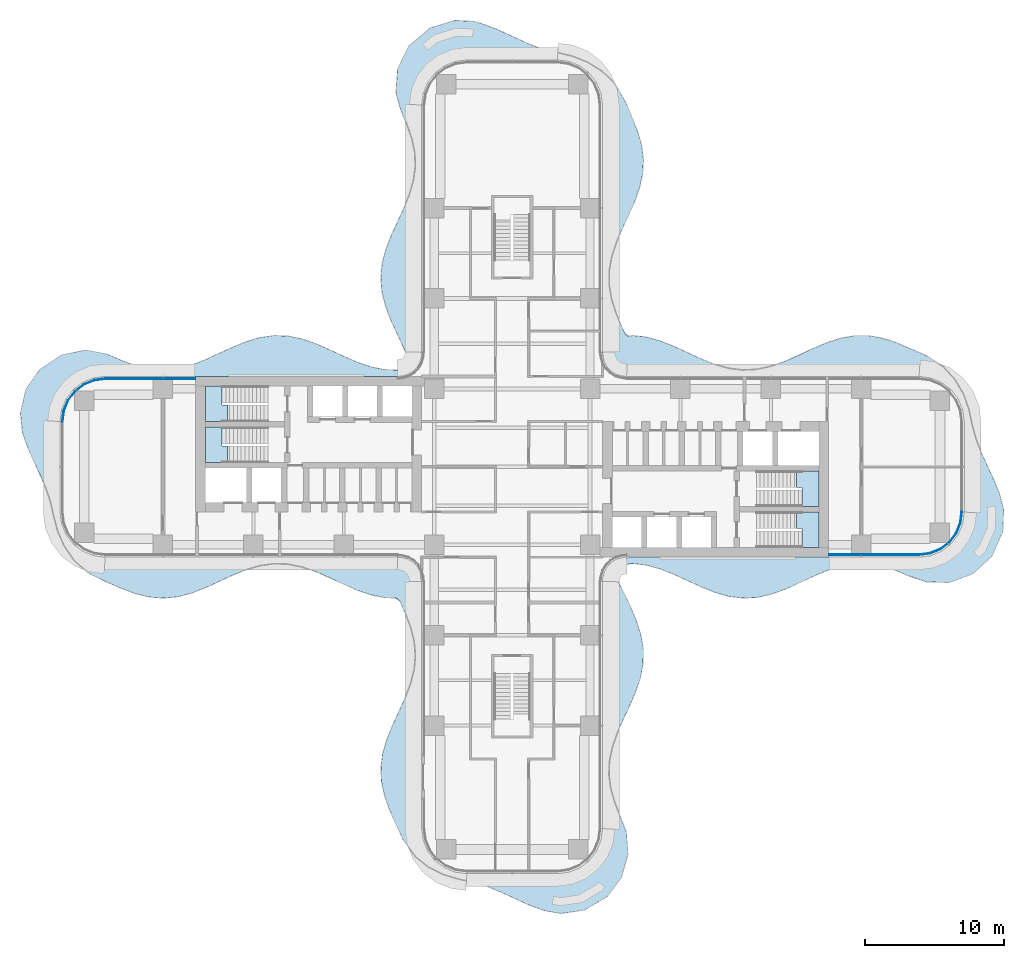
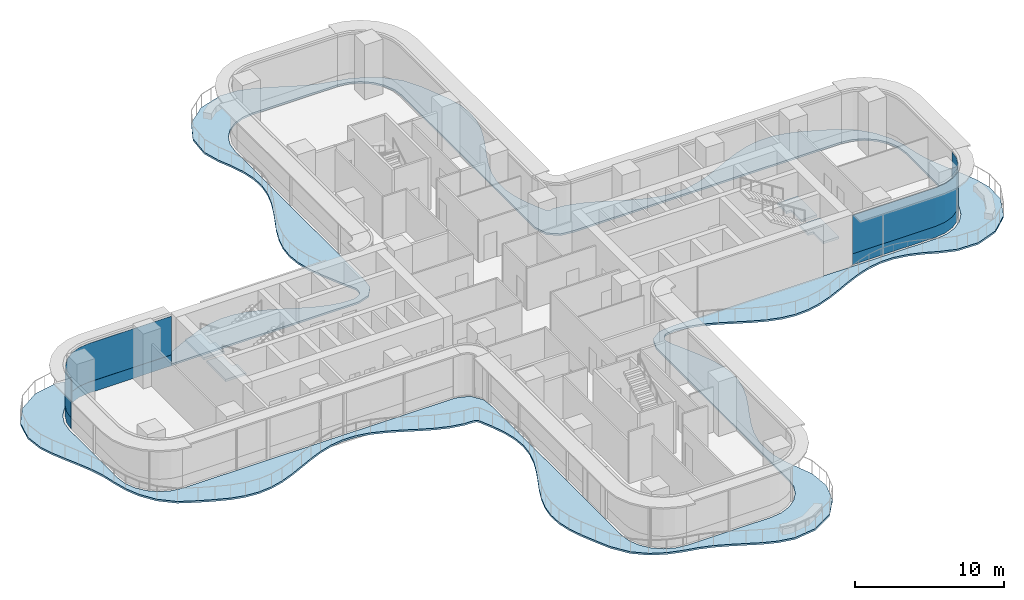
# One storey, part 15 of 22: 5 slabs, 4 plates, 6 elements without a shape of their own.
"""IFC4 building model written with IfcOpenShell, lengths in metres."""

import ifcopenshell
import ifcopenshell.guid

model = None  # the IFC model being written
_history = None  # IfcOwnerHistory: only IFC2X3 demands one
_inside = {}  # id of a spatial element -> (the spatial element, [elements in it])
_under = {}  # id of a project, library or spatial element -> (it, [spatial elements below it])
_declared = {}  # id of a project -> (the project, [libraries it declares])
_typed = {}  # id of a type object -> (the type object, [elements of that type])
_made_of = {}  # id of a material, layer set ... -> (it, [elements and type objects made of it])


def new_model(schema):
    """Start an empty IFC model of exactly this schema.

    Asked for "IFC4X3", IfcOpenShell would pick the latest addendum, in which some entities
    have other attributes; the version numbers below select the first issue.
    IFC2X3 requires an IfcOwnerHistory on every rooted entity: one is made here for all.
    """
    global model, _history
    if schema == "IFC4X3":
        model = ifcopenshell.file(schema_version=(4, 3, 0, 0))
    else:
        model = ifcopenshell.file(schema=schema)
    _inside.clear()
    _under.clear()
    _declared.clear()
    _typed.clear()
    _made_of.clear()
    _history = None
    if model.schema == "IFC2X3":
        org = make("IfcOrganization", Name="unknown")
        user = make(
            "IfcPersonAndOrganization",
            ThePerson=make("IfcPerson", FamilyName="unknown"),
            TheOrganization=org,
        )
        app = make(
            "IfcApplication",
            ApplicationDeveloper=org,
            Version="unknown",
            ApplicationFullName="unknown",
            ApplicationIdentifier="unknown",
        )
        _history = make(
            "IfcOwnerHistory",
            OwningUser=user,
            OwningApplication=app,
            ChangeAction="ADDED",
            CreationDate=0,
        )
    return model


def make(cls, **values):
    """One entity of the class cls with the attributes given. An attribute that is None is left unset."""
    return model.create_entity(
        cls, **{name: value for name, value in values.items() if value is not None}
    )


def rooted(cls, **values):
    """An entity with a GlobalId (a new one), such as an element, a storey or a relation."""
    return make(cls, GlobalId=ifcopenshell.guid.new(), OwnerHistory=_history, **values)


def si_unit(unit_type, name, prefix=None):
    """IfcSIUnit, for example si_unit("LENGTHUNIT", "METRE", prefix="MILLI")."""
    return make("IfcSIUnit", UnitType=unit_type, Prefix=prefix, Name=name)


def assignment(units):
    """IfcUnitAssignment: the units of a project."""
    return None if units is None else make("IfcUnitAssignment", Units=units)


def point(xyz):
    """IfcCartesianPoint."""
    return None if xyz is None else make("IfcCartesianPoint", Coordinates=xyz)


def direction(xyz):
    """IfcDirection."""
    return None if xyz is None else make("IfcDirection", DirectionRatios=xyz)


def frame(location, z_axis=None, x_axis=None):
    """IfcAxis2Placement3D, a coordinate frame: its origin and axes. An axis left out is left unset."""
    return make(
        "IfcAxis2Placement3D",
        Location=point(location),
        Axis=direction(z_axis),
        RefDirection=direction(x_axis),
    )


def origin():
    """The frame at (0, 0, 0) with its axes left unset."""
    return frame((0.0, 0.0, 0.0))


def place(relative_to, where):
    """IfcLocalPlacement: puts the frame where relative to a parent placement (None: the world)."""
    return make(
        "IfcLocalPlacement", PlacementRelTo=relative_to, RelativePlacement=where
    )


def context(
    kind, dimensions, precision=None, world=None, true_north=None, identifier=None
):
    """IfcGeometricRepresentationContext, for example the 3D "Model" context."""
    return make(
        "IfcGeometricRepresentationContext",
        ContextIdentifier=identifier,
        ContextType=kind,
        CoordinateSpaceDimension=dimensions,
        Precision=precision,
        WorldCoordinateSystem=world,
        TrueNorth=true_north,
    )


def subcontext(parent, identifier, kind, view, scale=None):
    """IfcGeometricRepresentationSubContext, for example "Body" below "Model"."""
    return make(
        "IfcGeometricRepresentationSubContext",
        ContextIdentifier=identifier,
        ContextType=kind,
        ParentContext=parent,
        TargetScale=scale,
        TargetView=view,
    )


def project(units=None, contexts=None):
    """IfcProject with its units and contexts."""
    return rooted(
        "IfcProject",
        Name="project",
        RepresentationContexts=contexts,
        UnitsInContext=assignment(units),
    )


def spatial(cls, under=None, at=None, **own):
    """A site, building, storey or space (cls), placed at a placement, below another one or the project."""
    s = rooted(cls, ObjectPlacement=at, **own)
    if under is not None:
        _under.setdefault(under.id(), (under, []))[1].append(s)
    return s


def polyline(points):
    """IfcPolyline through the points."""
    return make("IfcPolyline", Points=[point(p) for p in points])


def outline(outer, holes=None, kind="AREA"):
    """IfcArbitraryClosedProfileDef: a profile drawn as a closed curve; with holes, ...WithVoids."""
    if holes is None:
        return make("IfcArbitraryClosedProfileDef", ProfileType=kind, OuterCurve=outer)
    return make(
        "IfcArbitraryProfileDefWithVoids",
        ProfileType=kind,
        OuterCurve=outer,
        InnerCurves=holes,
    )


def extrude(swept, where, along, depth):
    """IfcExtrudedAreaSolid: the profile swept, set in the frame where, extruded along a direction by depth."""
    return make(
        "IfcExtrudedAreaSolid",
        SweptArea=swept,
        Position=where,
        ExtrudedDirection=direction(along),
        Depth=depth,
    )


def shape(context_of_items, identifier, shape_type, items):
    """IfcShapeRepresentation: the items that make up one representation, for example the "Body"."""
    return make(
        "IfcShapeRepresentation",
        ContextOfItems=context_of_items,
        RepresentationIdentifier=identifier,
        RepresentationType=shape_type,
        Items=items,
    )


def source(mapping_origin, context_of_items, identifier, shape_type, items):
    """IfcRepresentationMap: a shape defined once, which mapped items show again and again."""
    return make(
        "IfcRepresentationMap",
        MappingOrigin=mapping_origin,
        MappedRepresentation=shape(context_of_items, identifier, shape_type, items),
    )


def transform(
    local_origin,
    x_axis=None,
    y_axis=None,
    z_axis=None,
    scale=None,
    scale2=None,
    scale3=None,
    uniform=True,
):
    """IfcCartesianTransformationOperator3D, or its non-uniform kind. x_axis, y_axis, z_axis: its Axis1, 2, 3."""
    if uniform:
        return make(
            "IfcCartesianTransformationOperator3D",
            Axis1=direction(x_axis),
            Axis2=direction(y_axis),
            LocalOrigin=point(local_origin),
            Scale=scale,
            Axis3=direction(z_axis),
        )
    return make(
        "IfcCartesianTransformationOperator3DnonUniform",
        Axis1=direction(x_axis),
        Axis2=direction(y_axis),
        LocalOrigin=point(local_origin),
        Scale=scale,
        Axis3=direction(z_axis),
        Scale2=scale2,
        Scale3=scale3,
    )


def mapped(mapping_source, mapping_target):
    """IfcMappedItem: shows the shape of a source again, moved by a transform."""
    return make(
        "IfcMappedItem", MappingSource=mapping_source, MappingTarget=mapping_target
    )


def material(Name=None, Category=None):
    """IfcMaterial."""
    return make("IfcMaterial", Name=Name, Category=Category)


def layer(
    of_material, thickness, ventilated=None, Name=None, Category=None, Priority=None
):
    """IfcMaterialLayer: one layer of a wall or slab, of a material (None: an air gap)."""
    return make(
        "IfcMaterialLayer",
        Material=of_material,
        LayerThickness=thickness,
        IsVentilated=ventilated,
        Name=Name,
        Category=Category,
        Priority=Priority,
    )


def layer_set(layers, Name=None):
    """IfcMaterialLayerSet."""
    return make("IfcMaterialLayerSet", MaterialLayers=layers, LayerSetName=Name)


def made_of(thing, what):
    """Note that an element or type object is made of a material, layer set ...; save() writes the relation."""
    if what is not None:
        _made_of.setdefault(what.id(), (what, []))[1].append(thing)
    return thing


def type_object(cls, material=None, **own):
    """A type object (cls), such as IfcWallType, which elements share."""
    return made_of(rooted(cls, **own), material)


def element(
    cls,
    number,
    at=None,
    inside=None,
    cuts=None,
    type_object=None,
    material=None,
    context=None,
    identifier="Body",
    shape_type=None,
    held_by="IfcProductDefinitionShape",
    body=None,
    shapes=None,
    **own,
):
    """One element of the class cls, such as IfcWall. Its Tag is "e" and its number.

    at: its placement. inside: the storey or other place that contains it. cuts: it is an
    opening in that element (IfcRelVoidsElement). A single representation is given by context,
    identifier, shape_type and body (its items); several are given by shapes. held_by: the class
    of the entity that holds the representations. save() writes the other relations.
    """
    e = rooted(cls, Tag="e%d" % number, ObjectPlacement=at, **own)
    if body is not None:
        shapes = [shape(context, identifier, shape_type, body)]
    if shapes is not None:
        e.Representation = make(held_by, Representations=shapes)
    if inside is not None:
        _inside.setdefault(inside.id(), (inside, []))[1].append(e)
    if cuts is not None:
        rooted(
            "IfcRelVoidsElement", RelatingBuildingElement=cuts, RelatedOpeningElement=e
        )
    if type_object is not None:
        _typed.setdefault(type_object.id(), (type_object, []))[1].append(e)
    return made_of(e, material)


def aggregate(whole, parts):
    """IfcRelAggregates: a whole, such as a stair, and the parts it consists of."""
    return rooted("IfcRelAggregates", RelatingObject=whole, RelatedObjects=parts)


def save(model, path):
    """Write the relations noted so far, then the file.

    IfcRelAggregates (storeys below a building ...), IfcRelContainedInSpatialStructure (elements
    in a storey), IfcRelDefinesByType, IfcRelAssociatesMaterial and IfcRelDeclares: one each for
    every whole, place, type object, material and project.
    """
    for whole, parts in _under.values():
        aggregate(whole, parts)
    for where, things in _inside.values():
        rooted(
            "IfcRelContainedInSpatialStructure",
            RelatedElements=things,
            RelatingStructure=where,
        )
    for kind, things in _typed.values():
        rooted("IfcRelDefinesByType", RelatedObjects=things, RelatingType=kind)
    for what, things in _made_of.values():
        rooted("IfcRelAssociatesMaterial", RelatedObjects=things, RelatingMaterial=what)
    for by, libraries in _declared.values():
        rooted("IfcRelDeclares", RelatingContext=by, RelatedDefinitions=libraries)
    model.write(path)


model = new_model("IFC4")

# Units and contexts
model_context = context("Model", 3, precision=1e-05, world=origin(), true_north=direction((0.0, 1.0)))
body_context = subcontext(model_context, "Body", "Model", "MODEL_VIEW")
ifc_project = project(units=[si_unit("LENGTHUNIT", "METRE"), si_unit("AREAUNIT", "SQUARE_METRE"), si_unit("VOLUMEUNIT", "CUBIC_METRE"), si_unit("PLANEANGLEUNIT", "RADIAN"), si_unit("MASSUNIT", "GRAM", prefix="KILO")], contexts=[model_context])

# Site, building, storey
site_placement = place(None, origin())
site = spatial("IfcSite", under=ifc_project, at=site_placement, CompositionType="ELEMENT")
building_placement = place(site_placement, origin())
building = spatial("IfcBuilding", under=site, at=building_placement, Name="Trellis Farm Tower", CompositionType="ELEMENT")
storey_placement = place(building_placement, frame((0.0, 0.0, 52.0)))
storey = spatial("IfcBuildingStorey", under=building, at=storey_placement, Name="L10", CompositionType="ELEMENT", Elevation=52.0)

# Slab
ifc_material_1 = material(Name="Concrete C40/50", Category="concrete")
ifc_layer_1 = layer(ifc_material_1, 0.14990234375)
ifc_layer_set_1 = layer_set([ifc_layer_1], Name="Balcony slab 150")
slab_type_1 = type_object("IfcSlabType", Name="Balcony slab 150", PredefinedType="FLOOR", material=ifc_layer_set_1)
slab_1_placement = place(storey_placement, frame((0.0, 0.0, -0.14990234375)))
element("IfcSlab", 1, at=slab_1_placement, inside=storey, type_object=slab_type_1, Name="Balcony slab", PredefinedType="FLOOR", context=body_context, shape_type="SweptSolid", body=[
    extrude(outline(polyline([(-32.2236328125, -5.651123046875), (-32.6611328125, -4.6328125), (-32.668212890625, -4.612548828125), (-32.951171875, -3.560302734375), (-32.95263671875, -3.553955078125), (-33.1826171875, -2.52099609375), (-33.184814453125, -2.51318359375), (-33.523681640625, -1.515380859375), (-33.52587890625, -1.509521484375), (-33.963134765625, -0.5048828125), (-33.964111328125, -0.503173828125), (-34.4326171875, 0.49560546875), (-34.434326171875, 0.499267578125), (-34.865234375, 1.48681640625), (-34.86962890625, 1.498046875), (-35.200439453125, 2.463623046875), (-35.207763671875, 2.49658203125), (-35.34912109375, 3.845947265625), (-35.345947265625, 3.8955078125), (-34.9638671875, 5.537109375), (-34.95458984375, 5.564453125), (-34.939208984375, 5.598388671875), (-34.925048828125, 5.62353515625), (-33.97314453125, 6.9736328125), (-33.954833984375, 6.994873046875), (-33.928955078125, 7.020263671875), (-33.906982421875, 7.03759765625), (-32.41748046875, 8.021240234375), (-32.39208984375, 8.034912109375), (-32.357421875, 8.049072265625), (-32.329833984375, 8.0576171875), (-30.67333984375, 8.39111328125), (-30.644287109375, 8.39404296875), (-30.606689453125, 8.39404296875), (-30.5771484375, 8.391357421875), (-29.146728515625, 8.110595703125), (-29.116455078125, 8.10107421875), (-28.091796875, 7.659912109375), (-28.08837890625, 7.65869140625), (-27.08251953125, 7.280517578125), (-27.073974609375, 7.27783203125), (-26.076904296875, 7.033935546875), (-26.065185546875, 7.031982421875), (-25.07568359375, 6.953369140625), (-25.0625, 6.95361328125), (-24.079345703125, 7.047607421875), (-24.068115234375, 7.04931640625), (-23.125, 7.28955078125), (-23.11669921875, 7.2919921875), (-22.09423828125, 7.680908203125), (-22.089599609375, 7.682861328125), (-20.110107421875, 8.594482421875), (-20.104248046875, 8.596923828125), (-19.119384765625, 9.0), (-19.10498046875, 9.005126953125), (-18.1279296875, 9.294921875), (-18.1064453125, 9.299560546875), (-17.1337890625, 9.437744140625), (-17.107421875, 9.439208984375), (-16.104736328125, 9.404541015625), (-16.07958984375, 9.401611328125), (-15.105712890625, 9.200439453125), (-15.0869140625, 9.1953125), (-14.107177734375, 8.85546875), (-14.095947265625, 8.85107421875), (-13.1083984375, 8.417724609375), (-13.104736328125, 8.416259765625), (-12.105712890625, 7.947265625), (-12.103515625, 7.9462890625), (-11.12646484375, 7.522216796875), (-11.12060546875, 7.52001953125), (-10.09228515625, 7.175048828125), (-10.082763671875, 7.172607421875), (-9.147705078125, 6.99169921875), (-9.13525390625, 6.990234375), (-8.26171875, 6.97021484375), (-8.2412109375, 6.97265625), (-8.080078125, 7.014404296875), (-8.061279296875, 7.022216796875), (-7.704345703125, 7.228759765625), (-7.6904296875, 7.239013671875), (-7.59228515625, 7.33154296875), (-7.573486328125, 7.360107421875), (-7.52734375, 7.48681640625), (-7.5234375, 7.50341796875), (-7.4873046875, 7.8095703125), (-7.48779296875, 7.83203125), (-7.522216796875, 8.01513671875), (-7.52978515625, 8.03662109375), (-7.83447265625, 8.60986328125), (-7.83837890625, 8.61767578125), (-8.74853515625, 10.597900390625), (-8.752685546875, 10.60791015625), (-9.12060546875, 11.589111328125), (-9.1259765625, 11.606201171875), (-9.364990234375, 12.581298828125), (-9.36865234375, 12.604736328125), (-9.447509765625, 13.577392578125), (-9.447265625, 13.603515625), (-9.35498046875, 14.57958984375), (-9.350830078125, 14.602783203125), (-9.097412109375, 15.586181640625), (-9.09228515625, 15.602783203125), (-8.706787109375, 16.60400390625), (-8.703125, 16.61279296875), (-7.791015625, 18.5927734375), (-7.78955078125, 18.595947265625), (-7.38916015625, 19.581298828125), (-7.38671875, 19.58837890625), (-7.099365234375, 20.5703125), (-7.096923828125, 20.5810546875), (-6.961181640625, 21.56298828125), (-6.960693359375, 21.576171875), (-6.99609375, 22.563720703125), (-6.99755859375, 22.576171875), (-7.2021484375, 23.5712890625), (-7.204833984375, 23.580810546875), (-7.552490234375, 24.58203125), (-7.5546875, 24.58740234375), (-7.997802734375, 25.59912109375), (-8.004638671875, 25.618408203125), (-8.35498046875, 26.845458984375), (-8.360107421875, 26.87158203125), (-8.363525390625, 26.906005859375), (-8.36376953125, 26.9326171875), (-8.23583984375, 28.5888671875), (-8.230712890625, 28.617431640625), (-8.220703125, 28.65380859375), (-8.210205078125, 28.6806640625), (-7.4208984375, 30.255615234375), (-7.404541015625, 30.28125), (-7.3798828125, 30.312255859375), (-7.358642578125, 30.334228515625), (-5.960693359375, 31.505615234375), (-5.93603515625, 31.522216796875), (-5.90234375, 31.54052734375), (-5.875, 31.55224609375), (-4.16796875, 32.08203125), (-4.142333984375, 32.08740234375), (-4.1083984375, 32.091796875), (-4.082275390625, 32.0927734375), (-2.78857421875, 32.02880859375), (-2.752197265625, 32.022705078125), (-1.763916015625, 31.7216796875), (-1.749755859375, 31.716552734375), (-0.74853515625, 31.298583984375), (-0.743896484375, 31.296630859375), (1.235595703125, 30.387939453125), (1.24072265625, 30.3857421875), (2.22314453125, 30.020751953125), (2.23193359375, 30.01806640625), (4.349365234375, 29.514892578125), (4.370849609375, 29.508056640625), (5.424072265625, 29.08251953125), (5.447021484375, 29.07080078125), (6.4716796875, 28.434814453125), (6.497802734375, 28.414306640625), (7.389404296875, 27.53759765625), (7.4140625, 27.505859375), (8.137451171875, 26.257080078125), (8.145751953125, 26.240478515625), (8.628173828125, 25.099853515625), (8.629150390625, 25.097412109375), (9.031494140625, 24.0966796875), (9.03662109375, 24.08154296875), (9.31591796875, 23.0966796875), (9.3203125, 23.074462890625), (9.44287109375, 22.097412109375), (9.44384765625, 22.071044921875), (9.3955078125, 21.098388671875), (9.39208984375, 21.073974609375), (9.18017578125, 20.099853515625), (9.1748046875, 20.08154296875), (8.82666015625, 19.10107421875), (8.822509765625, 19.09033203125), (8.384521484375, 18.102294921875), (8.38330078125, 18.099365234375), (7.914306640625, 17.09912109375), (7.9130859375, 17.0966796875), (7.48388671875, 16.09228515625), (7.4814453125, 16.086181640625), (7.15625, 15.0859375), (7.15380859375, 15.07568359375), (6.97802734375, 14.081787109375), (6.976806640625, 14.069091796875), (6.97265625, 13.082763671875), (6.9736328125, 13.070068359375), (7.138427734375, 12.08837890625), (7.140869140625, 12.078125), (7.45166015625, 11.095703125), (7.4541015625, 11.08935546875), (7.86376953125, 10.115966796875), (7.864990234375, 10.11328125), (8.1064453125, 9.596435546875), (8.11865234375, 9.578125), (8.231689453125, 9.4521484375), (8.26806640625, 9.43017578125), (8.423583984375, 9.389892578125), (8.4619140625, 9.390380859375), (8.627197265625, 9.436279296875), (8.68359375, 9.440673828125), (9.586181640625, 9.341796875), (9.60888671875, 9.33740234375), (10.593017578125, 9.073486328125), (10.60888671875, 9.068359375), (11.610107421875, 8.67578125), (11.6181640625, 8.672607421875), (13.597900390625, 7.759521484375), (13.6015625, 7.758056640625), (14.58642578125, 7.364013671875), (14.593994140625, 7.361572265625), (15.57568359375, 7.083984375), (15.586669921875, 7.081787109375), (16.569091796875, 6.9580078125), (16.58203125, 6.95751953125), (17.570068359375, 7.005126953125), (17.58251953125, 7.0068359375), (18.62060546875, 7.235107421875), (18.6298828125, 7.23779296875), (19.613037109375, 7.591552734375), (19.6181640625, 7.593505859375), (20.60546875, 8.033203125), (20.606689453125, 8.03369140625), (21.602783203125, 8.50048828125), (21.607666015625, 8.502685546875), (22.602783203125, 8.92626953125), (22.615478515625, 8.930908203125), (23.602783203125, 9.249267578125), (23.623291015625, 9.254150390625), (24.602294921875, 9.424072265625), (24.6279296875, 9.42626953125), (25.601318359375, 9.4267578125), (25.626708984375, 9.4248046875), (26.60009765625, 9.25732421875), (26.620361328125, 9.25244140625), (27.598388671875, 8.939208984375), (27.612060546875, 8.93408203125), (29.77001953125, 8.00146484375), (29.793212890625, 7.98876953125), (30.971435546875, 7.211181640625), (30.999755859375, 7.18701171875), (31.8408203125, 6.262451171875), (31.859619140625, 6.23681640625), (32.45654296875, 5.207275390625), (32.46875, 5.180908203125), (32.837646484375, 4.107421875), (32.842529296875, 4.08935546875), (33.070556640625, 2.995361328125), (33.07177734375, 2.990478515625), (33.349365234375, 1.984619140625), (33.351806640625, 1.976806640625), (33.742431640625, 0.992431640625), (33.744140625, 0.98876953125), (34.656982421875, -0.9912109375), (34.660400390625, -0.998779296875), (35.049560546875, -1.980712890625), (35.05517578125, -1.997802734375), (35.325439453125, -3.031982421875), (35.330078125, -3.07470703125), (35.282470703125, -4.578857421875), (35.27880859375, -4.60693359375), (35.270751953125, -4.642822265625), (35.261962890625, -4.669921875), (34.524169921875, -6.364501953125), (34.5087890625, -6.391357421875), (34.485595703125, -6.424072265625), (34.465087890625, -6.447509765625), (33.134765625, -7.67529296875), (33.111083984375, -7.693115234375), (33.07861328125, -7.713134765625), (33.05224609375, -7.725830078125), (31.473876953125, -8.305908203125), (31.44677734375, -8.31298828125), (31.41162109375, -8.319091796875), (31.383056640625, -8.321044921875), (29.83251953125, -8.28271484375), (29.789306640625, -8.275146484375), (28.60986328125, -7.887451171875), (28.598388671875, -7.88330078125), (27.585693359375, -7.456298828125), (27.579345703125, -7.453857421875), (26.626953125, -7.149658203125), (26.616943359375, -7.147216796875), (25.63525390625, -6.976806640625), (25.622802734375, -6.9755859375), (24.636474609375, -6.9736328125), (24.623779296875, -6.974853515625), (23.630126953125, -7.14453125), (23.619873046875, -7.147216796875), (22.619873046875, -7.467529296875), (22.61328125, -7.469970703125), (21.609130859375, -7.896484375), (21.606689453125, -7.897705078125), (20.60595703125, -8.36669921875), (20.603271484375, -8.367919921875), (19.61474609375, -8.807861328125), (19.6044921875, -8.81201171875), (18.623779296875, -9.164306640625), (18.605712890625, -9.169677734375), (17.631591796875, -9.38720703125), (17.606689453125, -9.390380859375), (16.60400390625, -9.444091796875), (16.57763671875, -9.443115234375), (15.605224609375, -9.322509765625), (15.5830078125, -9.318115234375), (14.6064453125, -9.04296875), (14.59130859375, -9.037841796875), (13.607666015625, -8.64453125), (13.6005859375, -8.6416015625), (11.602294921875, -7.720947265625), (11.598388671875, -7.71923828125), (10.632080078125, -7.339599609375), (10.62451171875, -7.337158203125), (9.642822265625, -7.069580078125), (9.631591796875, -7.0673828125), (8.666748046875, -6.95751953125), (8.65576171875, -6.95703125), (8.568115234375, -6.959716796875), (8.5576171875, -6.960693359375), (7.94873046875, -7.067138671875), (7.9345703125, -7.071044921875), (7.826904296875, -7.113037109375), (7.802001953125, -7.12890625), (7.718994140625, -7.208984375), (7.709228515625, -7.220458984375), (7.533447265625, -7.47509765625), (7.525390625, -7.490234375), (7.476806640625, -7.614013671875), (7.4716796875, -7.647216796875), (7.48291015625, -7.779541015625), (7.486328125, -7.796875), (7.6298828125, -8.23046875), (7.634033203125, -8.240234375), (8.0654296875, -9.109375), (8.06689453125, -9.112548828125), (8.5302734375, -10.1025390625), (8.53271484375, -10.10791015625), (8.953369140625, -11.10888671875), (8.958251953125, -11.122314453125), (9.26708984375, -12.10888671875), (9.27197265625, -12.1298828125), (9.43017578125, -13.1083984375), (9.431884765625, -13.13427734375), (9.42041015625, -14.107421875), (9.417724609375, -14.132568359375), (9.2392578125, -15.10595703125), (9.234130859375, -15.1259765625), (8.911865234375, -16.104736328125), (8.906982421875, -16.116943359375), (8.486083984375, -17.098388671875), (8.484130859375, -17.102783203125), (8.01416015625, -18.105224609375), (8.013427734375, -18.106689453125), (7.5693359375, -19.11181640625), (7.567138671875, -19.1171875), (7.215087890625, -20.118408203125), (7.21240234375, -20.127685546875), (7.002197265625, -21.123291015625), (7.00048828125, -21.135498046875), (6.958984375, -22.12353515625), (6.95947265625, -22.13623046875), (7.078857421875, -23.06689453125), (7.0810546875, -23.077880859375), (7.3740234375, -24.111572265625), (7.37646484375, -24.11865234375), (8.197265625, -26.200927734375), (8.207275390625, -26.243896484375), (8.334716796875, -27.81787109375), (8.33447265625, -27.844970703125), (8.3310546875, -27.87890625), (8.326171875, -27.90478515625), (7.882080078125, -29.468505859375), (7.872314453125, -29.49365234375), (7.856689453125, -29.525390625), (7.842529296875, -29.548583984375), (6.8740234375, -30.8505859375), (6.85400390625, -30.87255859375), (6.8251953125, -30.8984375), (6.80126953125, -30.916015625), (5.2177734375, -31.8505859375), (5.19091796875, -31.86279296875), (5.155029296875, -31.87548828125), (5.12646484375, -31.882568359375), (3.487548828125, -32.11328125), (3.43896484375, -32.1123046875), (2.274658203125, -31.893798828125), (2.25048828125, -31.886962890625), (1.260009765625, -31.522216796875), (1.24951171875, -31.517822265625), (-0.74169921875, -30.6044921875), (-0.744140625, -30.603271484375), (-1.761474609375, -30.17919921875), (-1.76806640625, -30.177001953125), (-2.72998046875, -29.878662109375), (-2.736328125, -29.876953125), (-3.804443359375, -29.6455078125), (-3.815185546875, -29.642822265625), (-4.893798828125, -29.324462890625), (-4.916748046875, -29.315673828125), (-5.971435546875, -28.805908203125), (-6.0, -28.787841796875), (-6.956787109375, -28.02099609375), (-6.985107421875, -27.9912109375), (-7.8369140625, -26.80419921875), (-7.850830078125, -26.780029296875), (-8.39990234375, -25.599853515625), (-8.401123046875, -25.59716796875), (-8.8369140625, -24.609375), (-8.841064453125, -24.598388671875), (-9.185302734375, -23.6181640625), (-9.1904296875, -23.599609375), (-9.39697265625, -22.62548828125), (-9.400146484375, -22.60107421875), (-9.4423828125, -21.62841796875), (-9.44140625, -21.602294921875), (-9.312744140625, -20.624755859375), (-9.30810546875, -20.602783203125), (-9.023681640625, -19.617431640625), (-9.018798828125, -19.602783203125), (-8.61279296875, -18.6015625), (-8.610107421875, -18.59521484375), (-7.689697265625, -16.595947265625), (-7.68798828125, -16.59130859375), (-7.3037109375, -15.589111328125), (-7.301025390625, -15.580810546875), (-7.04638671875, -14.58349609375), (-7.04443359375, -14.57177734375), (-6.953369140625, -13.58154296875), (-6.953125, -13.568603515625), (-7.03515625, -12.585205078125), (-7.037109375, -12.573486328125), (-7.27880859375, -11.592041015625), (-7.281494140625, -11.58349609375), (-7.641845703125, -10.62109375), (-7.643798828125, -10.61669921875), (-8.081298828125, -9.648193359375), (-8.09228515625, -9.63037109375), (-8.197509765625, -9.507080078125), (-8.231201171875, -9.484619140625), (-8.385986328125, -9.43603515625), (-8.40625, -9.4326171875), (-9.11328125, -9.412841796875), (-9.137939453125, -9.41015625), (-10.112060546875, -9.22021484375), (-10.13134765625, -9.215087890625), (-11.11083984375, -8.8837890625), (-11.12255859375, -8.87939453125), (-12.10498046875, -8.452880859375), (-12.10888671875, -8.451171875), (-13.11181640625, -7.980712890625), (-13.113525390625, -7.979736328125), (-14.118408203125, -7.540283203125), (-14.1240234375, -7.5380859375), (-15.125, -7.194580078125), (-15.134521484375, -7.192138671875), (-16.12939453125, -6.9931640625), (-16.14208984375, -6.99169921875), (-17.12939453125, -6.962646484375), (-17.142333984375, -6.96337890625), (-18.124267578125, -7.10498046875), (-18.135009765625, -7.107421875), (-19.116943359375, -7.3994140625), (-19.1240234375, -7.40185546875), (-20.109375, -7.805419921875), (-20.1123046875, -7.806640625), (-22.09228515625, -8.718505859375), (-22.1015625, -8.722412109375), (-23.083740234375, -9.097900390625), (-23.10009765625, -9.10302734375), (-24.07568359375, -9.3525390625), (-24.098876953125, -9.3564453125), (-25.071044921875, -9.447265625), (-25.09765625, -9.447509765625), (-26.1005859375, -9.36279296875), (-26.124267578125, -9.358642578125), (-27.099365234375, -9.114501953125), (-27.115966796875, -9.109375), (-28.097900390625, -8.737548828125), (-28.104248046875, -8.735107421875), (-29.14697265625, -8.2861328125), (-29.1533203125, -8.283447265625), (-30.389892578125, -7.682373046875), (-30.422607421875, -7.660888671875), (-31.465087890625, -6.75537109375), (-31.490478515625, -6.726806640625), (-32.209716796875, -5.676513671875), (-32.2236328125, -5.651123046875)]), holes=[polyline([(-6.644287109375, 7.569091796875), (-7.134033203125, 6.8896484375), (-7.16650390625, 6.856689453125), (-7.2119140625, 6.8232421875), (-7.25390625, 6.801513671875), (-8.11767578125, 6.51513671875), (-8.164794921875, 6.507568359375), (-27.41845703125, 6.50048828125), (-29.25, 6.50048828125), (-30.09130859375, 6.389892578125), (-30.875244140625, 6.065185546875), (-31.548583984375, 5.548583984375), (-32.065185546875, 4.875244140625), (-32.389892578125, 4.09130859375), (-32.50048828125, 3.25), (-32.50048828125, -3.25), (-32.389892578125, -4.09130859375), (-32.065185546875, -4.875244140625), (-31.548583984375, -5.548583984375), (-30.875244140625, -6.065185546875), (-30.09130859375, -6.389892578125), (-29.25, -6.50048828125), (-27.418701171875, -6.50048828125), (-8.164794921875, -6.507568359375), (-8.11767578125, -6.51513671875), (-7.25390625, -6.801513671875), (-7.2119140625, -6.8232421875), (-7.16650390625, -6.856689453125), (-7.134033203125, -6.8896484375), (-6.644287109375, -7.569091796875), (-6.6259765625, -7.603271484375), (-6.6083984375, -7.64892578125), (-6.599365234375, -7.686767578125), (-6.500732421875, -8.61083984375), (-6.50048828125, -8.615478515625), (-6.50048828125, -26.0), (-6.389892578125, -26.84130859375), (-6.065185546875, -27.625244140625), (-5.548583984375, -28.298583984375), (-4.875244140625, -28.815185546875), (-4.09130859375, -29.139892578125), (-3.25, -29.25048828125), (3.25, -29.25048828125), (4.09130859375, -29.139892578125), (4.875244140625, -28.815185546875), (5.548583984375, -28.298583984375), (6.065185546875, -27.625244140625), (6.389892578125, -26.84130859375), (6.50048828125, -26.0), (6.50048828125, -23.778076171875), (6.5078125, -8.16259765625), (6.515380859375, -8.115478515625), (6.802490234375, -7.251953125), (6.824462890625, -7.209716796875), (6.858154296875, -7.16455078125), (6.89111328125, -7.132080078125), (7.571533203125, -6.6435546875), (7.60546875, -6.625244140625), (7.651123046875, -6.60791015625), (7.688720703125, -6.598876953125), (8.61328125, -6.500732421875), (8.617919921875, -6.50048828125), (29.25, -6.50048828125), (30.09130859375, -6.389892578125), (30.875244140625, -6.065185546875), (31.548583984375, -5.548583984375), (32.065185546875, -4.875244140625), (32.389892578125, -4.09130859375), (32.50048828125, -3.25), (32.50048828125, 3.25), (32.389892578125, 4.09130859375), (32.065185546875, 4.875244140625), (31.548583984375, 5.548583984375), (30.875244140625, 6.065185546875), (30.09130859375, 6.389892578125), (29.25, 6.50048828125), (8.617919921875, 6.50048828125), (8.61328125, 6.500732421875), (7.688720703125, 6.598876953125), (7.651123046875, 6.60791015625), (7.60546875, 6.625244140625), (7.571533203125, 6.6435546875), (6.89111328125, 7.132080078125), (6.858154296875, 7.16455078125), (6.824462890625, 7.209716796875), (6.802490234375, 7.251953125), (6.515380859375, 8.115478515625), (6.5078125, 8.16259765625), (6.50048828125, 23.778076171875), (6.50048828125, 26.0), (6.389892578125, 26.84130859375), (6.065185546875, 27.625244140625), (5.548583984375, 28.298583984375), (4.875244140625, 28.815185546875), (4.09130859375, 29.139892578125), (3.25, 29.25048828125), (-3.25, 29.25048828125), (-4.09130859375, 29.139892578125), (-4.875244140625, 28.815185546875), (-5.548583984375, 28.298583984375), (-6.065185546875, 27.625244140625), (-6.389892578125, 26.84130859375), (-6.50048828125, 26.0), (-6.50048828125, 8.615478515625), (-6.500732421875, 8.61083984375), (-6.599365234375, 7.686767578125), (-6.6083984375, 7.64892578125), (-6.6259765625, 7.603271484375), (-6.644287109375, 7.569091796875)])]), origin(), (0.0, 0.0, 1.0), 0.14990234375),
])

# Stair, slab
ifc_material_2 = material(Name="Concrete C50/60", Category="concrete")
stair_type = type_object("IfcStairType", Name="CORE EXIT STAIR 26 RISERS 173 MM", PredefinedType="HALF_TURN_STAIR", material=ifc_material_2)
placement_1 = place(storey_placement, origin())
stair_1 = element("IfcStair", 2, at=placement_1, inside=storey, type_object=stair_type, Name="Exit stair E1", PredefinedType="HALF_TURN_STAIR")
ifc_layer_2 = layer(ifc_material_2, 0.18994140625)
ifc_layer_set_2 = layer_set([ifc_layer_2], Name="CORE STAIR LANDING 190 CONCRETE C50/60")
slab_type_2 = type_object("IfcSlabType", Name="CORE STAIR LANDING 190 CONCRETE C50/60", PredefinedType="LANDING", material=ifc_layer_set_2)
shared_shape_1 = source(origin(), body_context, "Body", "SweptSolid", [
    extrude(outline(polyline([(20.840087890625, -5.800048828125), (20.840087890625, -4.60009765625), (20.85009765625, -4.60009765625), (20.85009765625, -4.449951171875), (20.453125, -4.449951171875), (20.453125, -3.25), (20.85009765625, -3.25), (22.050048828125, -3.25), (22.050048828125, -5.800048828125), (20.85009765625, -5.800048828125), (20.840087890625, -5.800048828125)])), origin(), (0.0, 0.0, 1.0), 0.18994140625),
])
placement_2 = place(storey_placement, frame((0.0, 0.0, 2.06005859375)))
slab_2 = element("IfcSlab", 3, at=placement_2, type_object=slab_type_2, Name="STE1 landing 1", PredefinedType="LANDING", context=body_context, shape_type="MappedRepresentation", body=[
    mapped(shared_shape_1, transform((0.0, 0.0, 0.0))),
])
aggregate(stair_1, [slab_2])

stair_2 = element("IfcStair", 4, at=placement_1, inside=storey, type_object=stair_type, Name="Exit stair E2", PredefinedType="HALF_TURN_STAIR")
shared_shape_2 = source(origin(), body_context, "Body", "SweptSolid", [
    extrude(outline(polyline([(20.840087890625, -2.85009765625), (20.840087890625, -1.64990234375), (20.85009765625, -1.64990234375), (20.85009765625, -1.5), (20.453125, -1.5), (20.453125, -0.300048828125), (20.85009765625, -0.300048828125), (22.050048828125, -0.300048828125), (22.050048828125, -2.85009765625), (20.85009765625, -2.85009765625), (20.840087890625, -2.85009765625)])), origin(), (0.0, 0.0, 1.0), 0.18994140625),
])
slab_3 = element("IfcSlab", 5, at=placement_2, type_object=slab_type_2, Name="STE2 landing 1", PredefinedType="LANDING", context=body_context, shape_type="MappedRepresentation", body=[
    mapped(shared_shape_2, transform((0.0, 0.0, 0.0))),
])
aggregate(stair_2, [slab_3])

stair_3 = element("IfcStair", 6, at=placement_1, inside=storey, type_object=stair_type, Name="Exit stair W1", PredefinedType="HALF_TURN_STAIR")
shared_shape_3 = source(origin(), body_context, "Body", "SweptSolid", [
    extrude(outline(polyline([(-20.453125, 4.449951171875), (-20.453125, 3.25), (-20.85009765625, 3.25), (-22.050048828125, 3.25), (-22.050048828125, 5.800048828125), (-20.85009765625, 5.800048828125), (-20.840087890625, 5.800048828125), (-20.840087890625, 4.60009765625), (-20.85009765625, 4.60009765625), (-20.85009765625, 4.449951171875), (-20.453125, 4.449951171875)])), origin(), (0.0, 0.0, 1.0), 0.18994140625),
])
slab_4 = element("IfcSlab", 7, at=placement_2, type_object=slab_type_2, Name="STW1 landing 1", PredefinedType="LANDING", context=body_context, shape_type="MappedRepresentation", body=[
    mapped(shared_shape_3, transform((0.0, 0.0, 0.0))),
])
aggregate(stair_3, [slab_4])

stair_4 = element("IfcStair", 8, at=placement_1, inside=storey, type_object=stair_type, Name="Exit stair W2", PredefinedType="HALF_TURN_STAIR")
shared_shape_4 = source(origin(), body_context, "Body", "SweptSolid", [
    extrude(outline(polyline([(-20.453125, 1.5), (-20.453125, 0.300048828125), (-20.85009765625, 0.300048828125), (-22.050048828125, 0.300048828125), (-22.050048828125, 2.85009765625), (-20.85009765625, 2.85009765625), (-20.840087890625, 2.85009765625), (-20.840087890625, 1.64990234375), (-20.85009765625, 1.64990234375), (-20.85009765625, 1.5), (-20.453125, 1.5)])), origin(), (0.0, 0.0, 1.0), 0.18994140625),
])
slab_5 = element("IfcSlab", 9, at=placement_2, type_object=slab_type_2, Name="STW2 landing 1", PredefinedType="LANDING", context=body_context, shape_type="MappedRepresentation", body=[
    mapped(shared_shape_4, transform((0.0, 0.0, 0.0))),
])
aggregate(stair_4, [slab_5])

# Curtain wall, plates
ifc_material_3 = material(Name="Aluminium and glass curtain wall", Category="aluminium")
ifc_layer_3 = layer(ifc_material_3, 0.18994140625)
ifc_layer_set_3 = layer_set([ifc_layer_3], Name="RIBBON CURTAIN WALL CW1")
curtain_wall_type = type_object("IfcCurtainWallType", Name="RIBBON CURTAIN WALL CW1", PredefinedType="NOTDEFINED", material=ifc_layer_set_3)
curtain_wall_1 = element("IfcCurtainWall", 10, at=placement_1, inside=storey, type_object=curtain_wall_type, Name="CW1 006", PredefinedType="NOTDEFINED")
ifc_material_4 = material(Name="Clear insulated glass", Category="glass")
ifc_layer_4 = layer(ifc_material_4, 0.0400390625)
ifc_layer_set_4 = layer_set([ifc_layer_4], Name="CW1 GLASS PANEL 40")
plate_type_1 = type_object("IfcPlateType", Name="CW1 GLASS PANEL 40", PredefinedType="CURTAIN_PANEL", material=ifc_layer_set_4)
shared_shape_5 = source(origin(), body_context, "Body", "SweptSolid", [
    extrude(outline(polyline([(22.780029296875, -6.35009765625), (29.240234375, -6.35009765625), (30.052001953125, -6.2431640625), (30.79931640625, -5.93359375), (31.441162109375, -5.441162109375), (31.93359375, -4.79931640625), (32.2431640625, -4.052001953125), (32.35009765625, -3.240234375), (32.31005859375, -3.237548828125), (32.2041015625, -4.04150390625), (31.898681640625, -4.779296875), (31.41259765625, -5.41259765625), (30.779296875, -5.898681640625), (30.04150390625, -6.2041015625), (29.237548828125, -6.31005859375), (22.780029296875, -6.31005859375), (22.780029296875, -6.35009765625)])), origin(), (0.0, 0.0, 1.0), 3.170166015625),
])
placement_3 = place(storey_placement, frame((0.0, 0.0, 0.89990234375)))
plate_1 = element("IfcPlate", 11, at=placement_3, type_object=plate_type_1, Name="PL1 006", PredefinedType="CURTAIN_PANEL", context=body_context, shape_type="MappedRepresentation", body=[
    mapped(shared_shape_5, transform((0.0, 0.0, 0.0))),
])
ifc_material_5 = material(Name="Sandstone faced insulated panel", Category="masonry")
ifc_layer_5 = layer(ifc_material_5, 0.050048828125)
ifc_layer_set_5 = layer_set([ifc_layer_5], Name="CW1 STONE SPANDREL PANEL 50")
plate_type_2 = type_object("IfcPlateType", Name="CW1 STONE SPANDREL PANEL 50", PredefinedType="CURTAIN_PANEL", material=ifc_layer_set_5)
shared_shape_6 = source(origin(), body_context, "Body", "SweptSolid", [
    extrude(outline(polyline([(22.780029296875, -6.35009765625), (29.240234375, -6.35009765625), (30.052001953125, -6.2431640625), (30.79931640625, -5.93359375), (31.441162109375, -5.441162109375), (31.93359375, -4.79931640625), (32.2431640625, -4.052001953125), (32.35009765625, -3.240234375), (32.300048828125, -3.23681640625), (32.1943359375, -4.0390625), (31.889892578125, -4.774169921875), (31.405517578125, -5.405517578125), (30.774169921875, -5.889892578125), (30.0390625, -6.1943359375), (29.23681640625, -6.300048828125), (22.780029296875, -6.300048828125), (22.780029296875, -6.35009765625)])), origin(), (0.0, 0.0, 1.0), 0.89990234375),
])
plate_2 = element("IfcPlate", 12, at=placement_1, type_object=plate_type_2, Name="PS1 006", PredefinedType="CURTAIN_PANEL", context=body_context, shape_type="MappedRepresentation", body=[
    mapped(shared_shape_6, transform((0.0, 0.0, 0.0))),
])
aggregate(curtain_wall_1, [plate_1, plate_2])

curtain_wall_2 = element("IfcCurtainWall", 13, at=placement_1, inside=storey, type_object=curtain_wall_type, Name="CW1 012", PredefinedType="NOTDEFINED")
shared_shape_7 = source(origin(), body_context, "Body", "SweptSolid", [
    extrude(outline(polyline([(-22.780029296875, 6.35009765625), (-29.240234375, 6.35009765625), (-30.052001953125, 6.2431640625), (-30.79931640625, 5.93359375), (-31.441162109375, 5.441162109375), (-31.93359375, 4.79931640625), (-32.2431640625, 4.052001953125), (-32.35009765625, 3.240234375), (-32.31005859375, 3.237548828125), (-32.2041015625, 4.04150390625), (-31.898681640625, 4.779296875), (-31.41259765625, 5.41259765625), (-30.779296875, 5.898681640625), (-30.04150390625, 6.2041015625), (-29.237548828125, 6.31005859375), (-22.780029296875, 6.31005859375), (-22.780029296875, 6.35009765625)])), origin(), (0.0, 0.0, 1.0), 3.170166015625),
])
plate_3 = element("IfcPlate", 14, at=placement_3, type_object=plate_type_1, Name="PL1 012", PredefinedType="CURTAIN_PANEL", context=body_context, shape_type="MappedRepresentation", body=[
    mapped(shared_shape_7, transform((0.0, 0.0, 0.0))),
])
shared_shape_8 = source(origin(), body_context, "Body", "SweptSolid", [
    extrude(outline(polyline([(-22.780029296875, 6.35009765625), (-29.240234375, 6.35009765625), (-30.052001953125, 6.2431640625), (-30.79931640625, 5.93359375), (-31.441162109375, 5.441162109375), (-31.93359375, 4.79931640625), (-32.2431640625, 4.052001953125), (-32.35009765625, 3.240234375), (-32.300048828125, 3.23681640625), (-32.1943359375, 4.0390625), (-31.889892578125, 4.774169921875), (-31.405517578125, 5.405517578125), (-30.774169921875, 5.889892578125), (-30.0390625, 6.1943359375), (-29.23681640625, 6.300048828125), (-22.780029296875, 6.300048828125), (-22.780029296875, 6.35009765625)])), origin(), (0.0, 0.0, 1.0), 0.89990234375),
])
plate_4 = element("IfcPlate", 15, at=placement_1, type_object=plate_type_2, Name="PS1 012", PredefinedType="CURTAIN_PANEL", context=body_context, shape_type="MappedRepresentation", body=[
    mapped(shared_shape_8, transform((0.0, 0.0, 0.0))),
])
aggregate(curtain_wall_2, [plate_3, plate_4])

save(model, "model.ifc")
